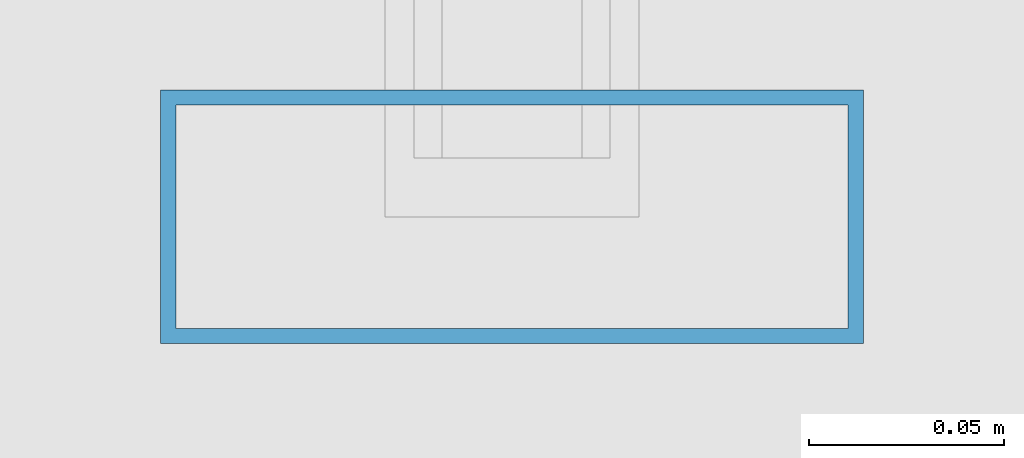
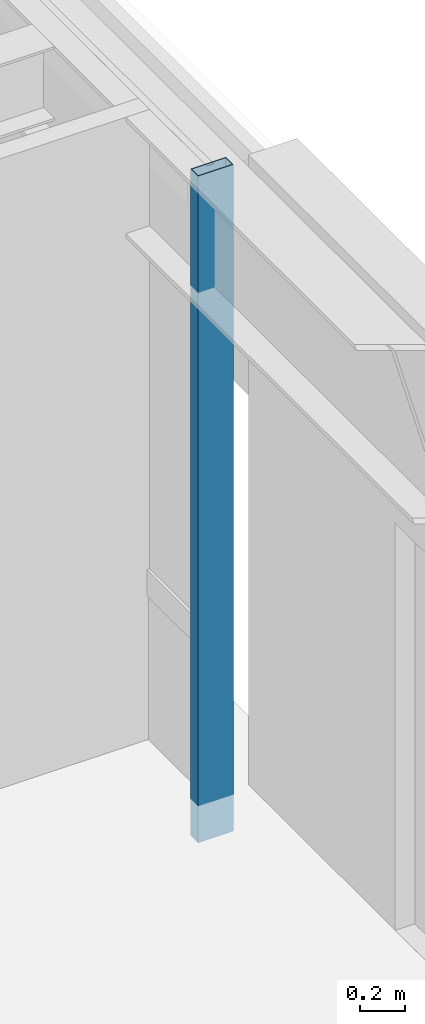
# One storey, part 14 of 32: 1 member, 1 element without a shape of its own.
"""IFC4 building model written with IfcOpenShell, lengths in metres."""

from ifc_helpers import new_model, si_unit, direction, frame, origin, origin_2d, place, context, subcontext, project, spatial, hollow_rectangle, extrude, material, layer, layer_set, material_profile, profile_set, type_object, element, aggregate, save


model = new_model("IFC4")

# Units and contexts
model_context = context("Model", 3, precision=1e-05, world=origin(), true_north=direction((0.0, 1.0)))
body_context = subcontext(model_context, "Body", "Model", "MODEL_VIEW")
ifc_project = project(units=[si_unit("LENGTHUNIT", "METRE"), si_unit("AREAUNIT", "SQUARE_METRE"), si_unit("VOLUMEUNIT", "CUBIC_METRE"), si_unit("PLANEANGLEUNIT", "RADIAN"), si_unit("MASSUNIT", "GRAM", prefix="KILO")], contexts=[model_context])

# Site, building, storey
site_placement = place(None, origin())
site = spatial("IfcSite", under=ifc_project, at=site_placement, CompositionType="ELEMENT")
building_placement = place(site_placement, origin())
building = spatial("IfcBuilding", under=site, at=building_placement, Name="Brelmoor Portico Tower", CompositionType="ELEMENT")
storey_placement = place(building_placement, frame((0.0, 0.0, 109.800048828125)))
storey = spatial("IfcBuildingStorey", under=building, at=storey_placement, Name="L28", CompositionType="ELEMENT", Elevation=109.800048828125)

# Curtain wall, member
ifc_material = material(Name="Anodised Aluminium Alloy 6063-T6", Category="aluminium")
ifc_layer = layer(ifc_material, 0.179931640625)
ifc_layer_set = layer_set([ifc_layer], Name="Anodised Aluminium Alloy 6063-T6")
curtain_wall_type = type_object("IfcCurtainWallType", Name="CW-TOWER-Z2", PredefinedType="NOTDEFINED", material=ifc_layer_set)
curtain_wall_placement = place(storey_placement, origin())
curtain_wall = element("IfcCurtainWall", 1, at=curtain_wall_placement, inside=storey, type_object=curtain_wall_type, Name="L28 Curtain Wall CW-L28-4R-1", PredefinedType="NOTDEFINED")
ifc_material_profile = material_profile(ifc_material, hollow_rectangle(XDim=0.06494140625, YDim=0.179931640625, WallThickness=0.00390625, at=origin_2d()), Name="ALU MULLION 65x180")
ifc_profile_set = profile_set([ifc_material_profile], Name="Anodised Aluminium Alloy 6063-T6")
member_type = type_object("IfcMemberType", Name="MB-CW-MULL-180", PredefinedType="MULLION", material=ifc_profile_set)
member_placement = place(storey_placement, frame((22.550048828125, -4.5, -0.199951171875), z_axis=(0.0, 0.0, 1.0), x_axis=(0.0, 1.0, 0.0)))
member = element("IfcMember", 2, at=member_placement, type_object=member_type, Name="CW-L28-4R-1 Mullion 00", PredefinedType="MULLION", context=body_context, shape_type="SweptSolid", body=[
    extrude(hollow_rectangle(XDim=0.06494140625, YDim=0.179931640625, WallThickness=0.00390625, at=origin_2d()), origin(), (0.0, 0.0, 1.0), 3.599853515625),
])
aggregate(curtain_wall, [member])

save(model, "model.ifc")
